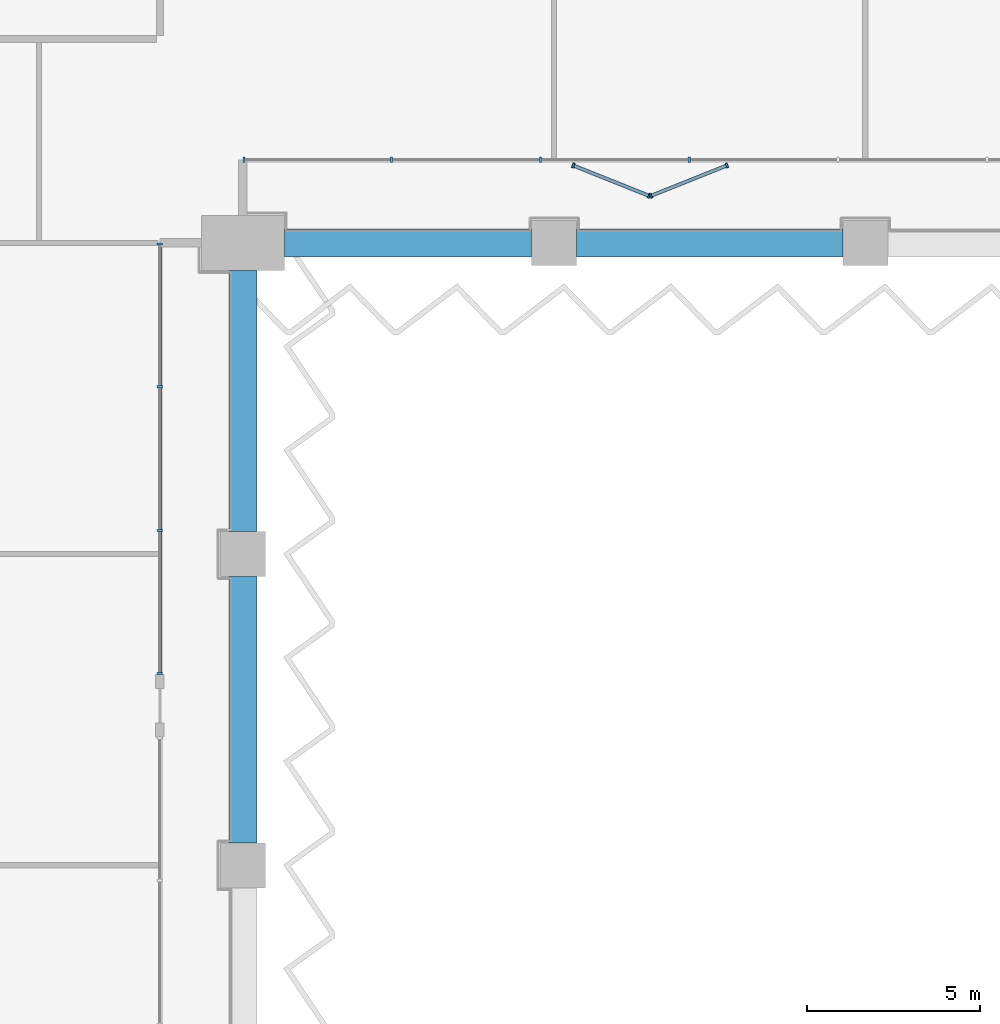
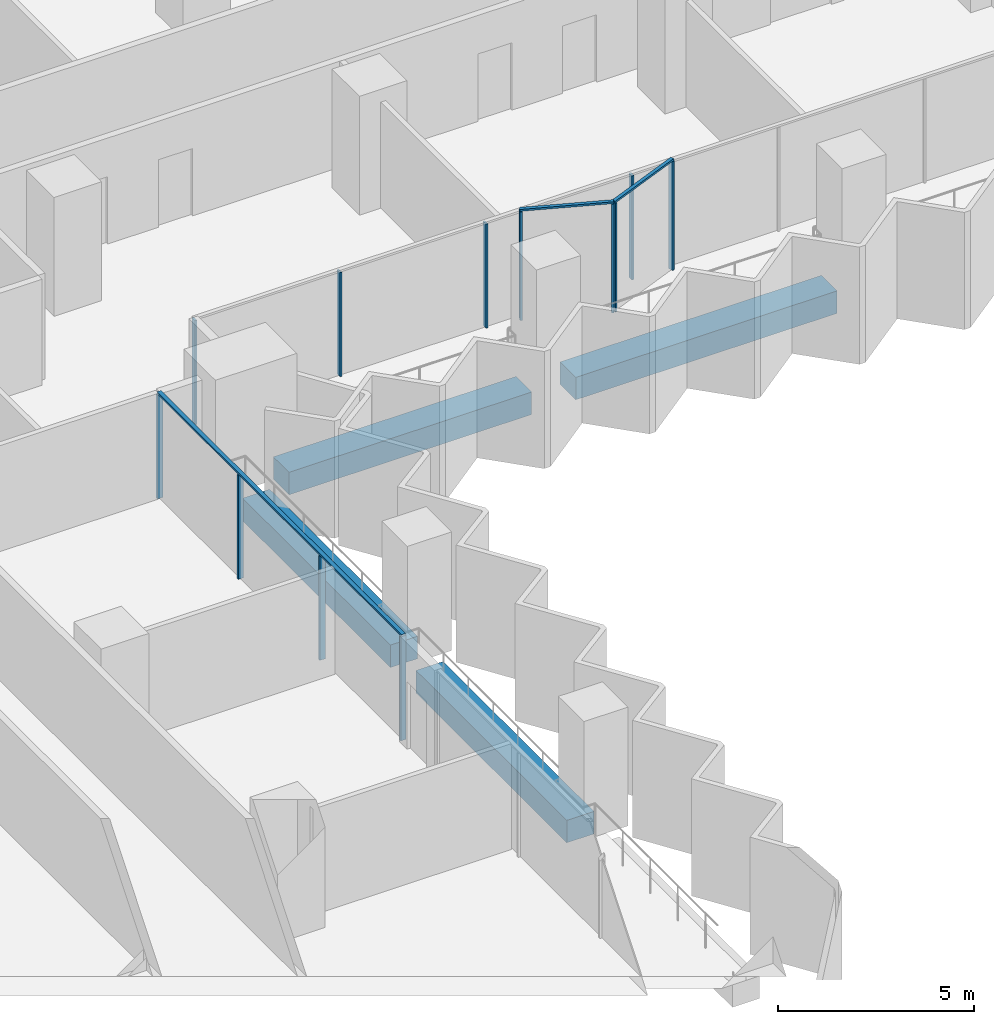
# One storey, part 4 of 28: 15 members, 4 beams, 4 elements without a shape of their own.
"""IFC4 building model written with IfcOpenShell, lengths in metres."""

from ifc_helpers import new_model, si_unit, direction, frame, origin, origin_2d, place, context, subcontext, project, spatial, rectangle, extrude, material, material_profile, profile_set, type_object, element, aggregate, save


model = new_model("IFC4")

# Units and contexts
model_context = context("Model", 3, precision=1e-05, world=origin(), true_north=direction((0.0, 1.0)))
body_context = subcontext(model_context, "Body", "Model", "MODEL_VIEW")
ifc_project = project(units=[si_unit("LENGTHUNIT", "METRE"), si_unit("AREAUNIT", "SQUARE_METRE"), si_unit("VOLUMEUNIT", "CUBIC_METRE"), si_unit("PLANEANGLEUNIT", "RADIAN"), si_unit("MASSUNIT", "GRAM", prefix="KILO")], contexts=[model_context])

# Site, building, storey
site_placement = place(None, origin())
site = spatial("IfcSite", under=ifc_project, at=site_placement, CompositionType="ELEMENT")
building_placement = place(site_placement, origin())
building = spatial("IfcBuilding", under=site, at=building_placement, Name="Hunhe Ridgeline Campus", CompositionType="ELEMENT")
storey_placement = place(building_placement, frame((0.0, 0.0, 39.5)))
storey = spatial("IfcBuildingStorey", under=building, at=storey_placement, Name="L08", CompositionType="ELEMENT", Elevation=39.5)

# Curtain wall, members
ifc_material_1 = material(Name="Aluminium 6063", Category="aluminium")
curtain_wall_type_1 = type_object("IfcCurtainWallType", Name="Curtain wall CW-1", PredefinedType="NOTDEFINED", material=ifc_material_1)
curtain_wall_1_placement = place(storey_placement, origin())
curtain_wall_1 = element("IfcCurtainWall", 1, at=curtain_wall_1_placement, inside=storey, type_object=curtain_wall_type_1, Name="Curtain wall 12", PredefinedType="NOTDEFINED")
ifc_material_profile_1 = material_profile(ifc_material_1, rectangle(XDim=0.159912109375, YDim=0.06005859375, at=origin_2d()))
ifc_profile_set_1 = profile_set([ifc_material_profile_1], Name="Aluminium 6063")
member_type_1 = type_object("IfcMemberType", Name="CW-1 aluminium mullion", PredefinedType="MULLION", material=ifc_profile_set_1)
member_1_placement = place(storey_placement, frame((42.59912109375, 41.54833984375, 0.0), z_axis=(0.0, 0.0, 1.0), x_axis=(-1.0, 1.60239e-07, 0.0)))
member_1 = element("IfcMember", 2, at=member_1_placement, type_object=member_type_1, Name="CW-1 mullion 1", PredefinedType="MULLION", context=body_context, shape_type="SweptSolid", body=[
    extrude(rectangle(XDim=0.159912109375, YDim=0.06005859375, at=origin_2d()), origin(), (0.0, 0.0, 1.0), 3.239990234375),
])
member_2_placement = place(storey_placement, frame((42.59912109375, 45.678955078125, 0.0), z_axis=(0.0, 0.0, 1.0), x_axis=(-1.0, 1.60239e-07, 0.0)))
member_2 = element("IfcMember", 3, at=member_2_placement, type_object=member_type_1, Name="CW-1 mullion 2", PredefinedType="MULLION", context=body_context, shape_type="SweptSolid", body=[
    extrude(rectangle(XDim=0.159912109375, YDim=0.06005859375, at=origin_2d()), origin(), (0.0, 0.0, 1.0), 3.239990234375),
])
member_3_placement = place(storey_placement, frame((42.59912109375, 49.839599609375, 0.0), z_axis=(0.0, 0.0, 1.0), x_axis=(-1.0, 1.60239e-07, 0.0)))
member_3 = element("IfcMember", 4, at=member_3_placement, type_object=member_type_1, Name="CW-1 mullion 3", PredefinedType="MULLION", context=body_context, shape_type="SweptSolid", body=[
    extrude(rectangle(XDim=0.159912109375, YDim=0.06005859375, at=origin_2d()), origin(), (0.0, 0.0, 1.0), 3.239990234375),
])
member_4_placement = place(storey_placement, frame((42.59912109375, 53.97021484375, 0.0), z_axis=(0.0, 0.0, 1.0), x_axis=(-1.0, 1.60239e-07, 0.0)))
member_4 = element("IfcMember", 5, at=member_4_placement, type_object=member_type_1, Name="CW-1 mullion 4", PredefinedType="MULLION", context=body_context, shape_type="SweptSolid", body=[
    extrude(rectangle(XDim=0.159912109375, YDim=0.06005859375, at=origin_2d()), origin(), (0.0, 0.0, 1.0), 3.239990234375),
])

curtain_wall_2_placement = place(storey_placement, origin())
curtain_wall_2 = element("IfcCurtainWall", 6, at=curtain_wall_2_placement, inside=storey, type_object=curtain_wall_type_1, Name="Curtain wall 13", PredefinedType="NOTDEFINED")
member_5_placement = place(storey_placement, frame((45.029541015625, 56.40087890625, 0.0), z_axis=(0.0, 0.0, 1.0), x_axis=(-3.602063e-06, 0.999999999994, 0.0)))
member_5 = element("IfcMember", 7, at=member_5_placement, type_object=member_type_1, Name="CW-1 mullion 1", PredefinedType="MULLION", context=body_context, shape_type="SweptSolid", body=[
    extrude(rectangle(XDim=0.159912109375, YDim=0.06005859375, at=origin_2d()), origin(), (0.0, 0.0, 1.0), 3.239990234375),
])
member_6_placement = place(storey_placement, frame((49.302490234375, 56.40087890625, 0.0), z_axis=(0.0, 0.0, 1.0), x_axis=(-3.602063e-06, 0.999999999994, 0.0)))
member_6 = element("IfcMember", 8, at=member_6_placement, type_object=member_type_1, Name="CW-1 mullion 2", PredefinedType="MULLION", context=body_context, shape_type="SweptSolid", body=[
    extrude(rectangle(XDim=0.159912109375, YDim=0.06005859375, at=origin_2d()), origin(), (0.0, 0.0, 1.0), 3.239990234375),
])
member_7_placement = place(storey_placement, frame((53.605712890625, 56.40087890625, 0.0), z_axis=(0.0, 0.0, 1.0), x_axis=(-3.602063e-06, 0.999999999994, 0.0)))
member_7 = element("IfcMember", 9, at=member_7_placement, type_object=member_type_1, Name="CW-1 mullion 3", PredefinedType="MULLION", context=body_context, shape_type="SweptSolid", body=[
    extrude(rectangle(XDim=0.159912109375, YDim=0.06005859375, at=origin_2d()), origin(), (0.0, 0.0, 1.0), 3.239990234375),
])
member_8_placement = place(storey_placement, frame((57.90869140625, 56.40087890625, 0.0), z_axis=(0.0, 0.0, 1.0), x_axis=(-3.602063e-06, 0.999999999994, 0.0)))
member_8 = element("IfcMember", 10, at=member_8_placement, type_object=member_type_1, Name="CW-1 mullion 4", PredefinedType="MULLION", context=body_context, shape_type="SweptSolid", body=[
    extrude(rectangle(XDim=0.159912109375, YDim=0.06005859375, at=origin_2d()), origin(), (0.0, 0.0, 1.0), 3.239990234375),
])
aggregate(curtain_wall_2, [member_5, member_6, member_7, member_8])

# Member
ifc_material_profile_2 = material_profile(ifc_material_1, rectangle(XDim=0.1201171875, YDim=0.06005859375, at=origin_2d()))
ifc_profile_set_2 = profile_set([ifc_material_profile_2], Name="Aluminium 6063")
member_type_2 = type_object("IfcMemberType", Name="CW-1 aluminium transom", PredefinedType="USERDEFINED", material=ifc_profile_set_2)
member_9_placement = place(storey_placement, frame((42.59912109375, 41.518310546875, 3.27001953125), z_axis=(0.0, 1.0, 0.0), x_axis=(-1.0, 0.0, 0.0)))
member_9 = element("IfcMember", 11, at=member_9_placement, type_object=member_type_2, Name="CW-1 transom 1", ObjectType="TRANSOM", PredefinedType="USERDEFINED", context=body_context, shape_type="SweptSolid", body=[
    extrude(rectangle(XDim=0.1201171875, YDim=0.06005859375, at=origin_2d()), origin(), (0.0, 0.0, 1.0), 12.481689453125),
])

aggregate(curtain_wall_1, [member_9, member_1, member_2, member_3, member_4])

# Curtain wall, members
curtain_wall_type_2 = type_object("IfcCurtainWallType", Name="Curtain wall CW-2", PredefinedType="NOTDEFINED", material=ifc_material_1)
curtain_wall_3_placement = place(storey_placement, origin())
curtain_wall_3 = element("IfcCurtainWall", 12, at=curtain_wall_3_placement, inside=storey, type_object=curtain_wall_type_2, Name="Curtain wall B01a", PredefinedType="NOTDEFINED")
ifc_material_profile_3 = material_profile(ifc_material_1, rectangle(XDim=0.139892578125, YDim=0.06005859375, at=origin_2d()))
ifc_profile_set_3 = profile_set([ifc_material_profile_3], Name="Aluminium 6063")
member_type_3 = type_object("IfcMemberType", Name="CW-2 aluminium mullion", PredefinedType="MULLION", material=ifc_profile_set_3)
member_10_placement = place(storey_placement, frame((54.55224609375, 56.23974609375, 0.0), z_axis=(0.0, 0.0, 1.0), x_axis=(0.371387403557, 0.928477999997, 0.0)))
member_10 = element("IfcMember", 13, at=member_10_placement, type_object=member_type_3, Name="CW-2 mullion 1", PredefinedType="MULLION", context=body_context, shape_type="SweptSolid", body=[
    extrude(rectangle(XDim=0.139892578125, YDim=0.06005859375, at=origin_2d()), origin(), (0.0, 0.0, 1.0), 3.389892578125),
])
member_11_placement = place(storey_placement, frame((56.74658203125, 55.362060546875, 0.0), z_axis=(0.0, 0.0, 1.0), x_axis=(0.371387403557, 0.928477999997, 0.0)))
member_11 = element("IfcMember", 14, at=member_11_placement, type_object=member_type_3, Name="CW-2 mullion 2", PredefinedType="MULLION", context=body_context, shape_type="SweptSolid", body=[
    extrude(rectangle(XDim=0.139892578125, YDim=0.06005859375, at=origin_2d()), origin(), (0.0, 0.0, 1.0), 3.389892578125),
])

curtain_wall_4_placement = place(storey_placement, origin())
curtain_wall_4 = element("IfcCurtainWall", 15, at=curtain_wall_4_placement, inside=storey, type_object=curtain_wall_type_2, Name="Curtain wall B01b", PredefinedType="NOTDEFINED")
member_12_placement = place(storey_placement, frame((56.80224609375, 55.362060546875, 0.0), z_axis=(0.0, 0.0, 1.0), x_axis=(-0.371393949135, 0.928475381766, 0.0)))
member_12 = element("IfcMember", 16, at=member_12_placement, type_object=member_type_3, Name="CW-2 mullion 1", PredefinedType="MULLION", context=body_context, shape_type="SweptSolid", body=[
    extrude(rectangle(XDim=0.139892578125, YDim=0.06005859375, at=origin_2d()), origin(), (0.0, 0.0, 1.0), 3.389892578125),
])
member_13_placement = place(storey_placement, frame((58.99658203125, 56.23974609375, 0.0), z_axis=(0.0, 0.0, 1.0), x_axis=(-0.371393949135, 0.928475381766, 0.0)))
member_13 = element("IfcMember", 17, at=member_13_placement, type_object=member_type_3, Name="CW-2 mullion 2", PredefinedType="MULLION", context=body_context, shape_type="SweptSolid", body=[
    extrude(rectangle(XDim=0.139892578125, YDim=0.06005859375, at=origin_2d()), origin(), (0.0, 0.0, 1.0), 3.389892578125),
])

# Member
ifc_material_profile_4 = material_profile(ifc_material_1, rectangle(XDim=0.10009765625, YDim=0.06005859375, at=origin_2d()))
ifc_profile_set_4 = profile_set([ifc_material_profile_4], Name="Aluminium 6063")
member_type_4 = type_object("IfcMemberType", Name="CW-2 aluminium transom", PredefinedType="USERDEFINED", material=ifc_profile_set_4)
member_14_placement = place(storey_placement, frame((54.5244140625, 56.2509765625, 3.419921875), z_axis=(0.928455845856, -0.371442784687, 0.0), x_axis=(0.371442784687, 0.928455845856, 0.0)))
member_14 = element("IfcMember", 18, at=member_14_placement, type_object=member_type_4, Name="CW-2 transom 1", ObjectType="TRANSOM", PredefinedType="USERDEFINED", context=body_context, shape_type="SweptSolid", body=[
    extrude(rectangle(XDim=0.10009765625, YDim=0.06005859375, at=origin_2d()), origin(), (0.0, 0.0, 1.0), 2.42333984375),
])

aggregate(curtain_wall_3, [member_14, member_10, member_11])

member_15_placement = place(storey_placement, frame((56.7744140625, 55.350830078125, 3.419921875), z_axis=(0.928455845856, 0.371442784687, 0.0), x_axis=(-0.371442784687, 0.928455845856, 0.0)))
member_15 = element("IfcMember", 19, at=member_15_placement, type_object=member_type_4, Name="CW-2 transom 1", ObjectType="TRANSOM", PredefinedType="USERDEFINED", context=body_context, shape_type="SweptSolid", body=[
    extrude(rectangle(XDim=0.10009765625, YDim=0.06005859375, at=origin_2d()), origin(), (0.0, 0.0, 1.0), 2.42333984375),
])

aggregate(curtain_wall_4, [member_15, member_12, member_13])

# Beams
ifc_material_2 = material(Name="Concrete C60", Category="concrete")
ifc_material_profile_5 = material_profile(ifc_material_2, rectangle(XDim=0.800048828125, YDim=0.699951171875, at=origin_2d()))
ifc_profile_set_5 = profile_set([ifc_material_profile_5], Name="Concrete C60")
beam_type = type_object("IfcBeamType", Name="RC spandrel beam 800x700 Concrete C60", PredefinedType="SPANDREL", material=ifc_profile_set_5)
beam_1_placement = place(storey_placement, frame((45.0, 36.64990234375, -0.60009765625), z_axis=(0.0, 1.0, 0.0), x_axis=(-1.0, 0.0, 0.0)))
element("IfcBeam", 20, at=beam_1_placement, inside=storey, type_object=beam_type, Name="Spandrel beam B1-10 L08", PredefinedType="SPANDREL", context=body_context, shape_type="SweptSolid", body=[
    extrude(rectangle(XDim=0.800048828125, YDim=0.699951171875, at=origin_2d()), origin(), (0.0, 0.0, 1.0), 7.7001953125),
])
beam_2_placement = place(storey_placement, frame((45.0, 45.64990234375, -0.60009765625), z_axis=(0.0, 1.0, 0.0), x_axis=(-1.0, 0.0, 0.0)))
element("IfcBeam", 21, at=beam_2_placement, inside=storey, type_object=beam_type, Name="Spandrel beam B1-11 L08", PredefinedType="SPANDREL", context=body_context, shape_type="SweptSolid", body=[
    extrude(rectangle(XDim=0.800048828125, YDim=0.699951171875, at=origin_2d()), origin(), (0.0, 0.0, 1.0), 7.550048828125),
])
beam_3_placement = place(storey_placement, frame((46.199951171875, 54.0, -0.60009765625), z_axis=(1.0, 0.0, 0.0), x_axis=(0.0, 1.0, 0.0)))
element("IfcBeam", 22, at=beam_3_placement, inside=storey, type_object=beam_type, Name="Spandrel beam B1-12 L08", PredefinedType="SPANDREL", context=body_context, shape_type="SweptSolid", body=[
    extrude(rectangle(XDim=0.800048828125, YDim=0.699951171875, at=origin_2d()), origin(), (0.0, 0.0, 1.0), 7.150146484375),
])
beam_4_placement = place(storey_placement, frame((54.64990234375, 54.0, -0.60009765625), z_axis=(1.0, 0.0, 0.0), x_axis=(0.0, 1.0, 0.0)))
element("IfcBeam", 23, at=beam_4_placement, inside=storey, type_object=beam_type, Name="Spandrel beam B1-13 L08", PredefinedType="SPANDREL", context=body_context, shape_type="SweptSolid", body=[
    extrude(rectangle(XDim=0.800048828125, YDim=0.699951171875, at=origin_2d()), origin(), (0.0, 0.0, 1.0), 7.7001953125),
])

save(model, "model.ifc")
